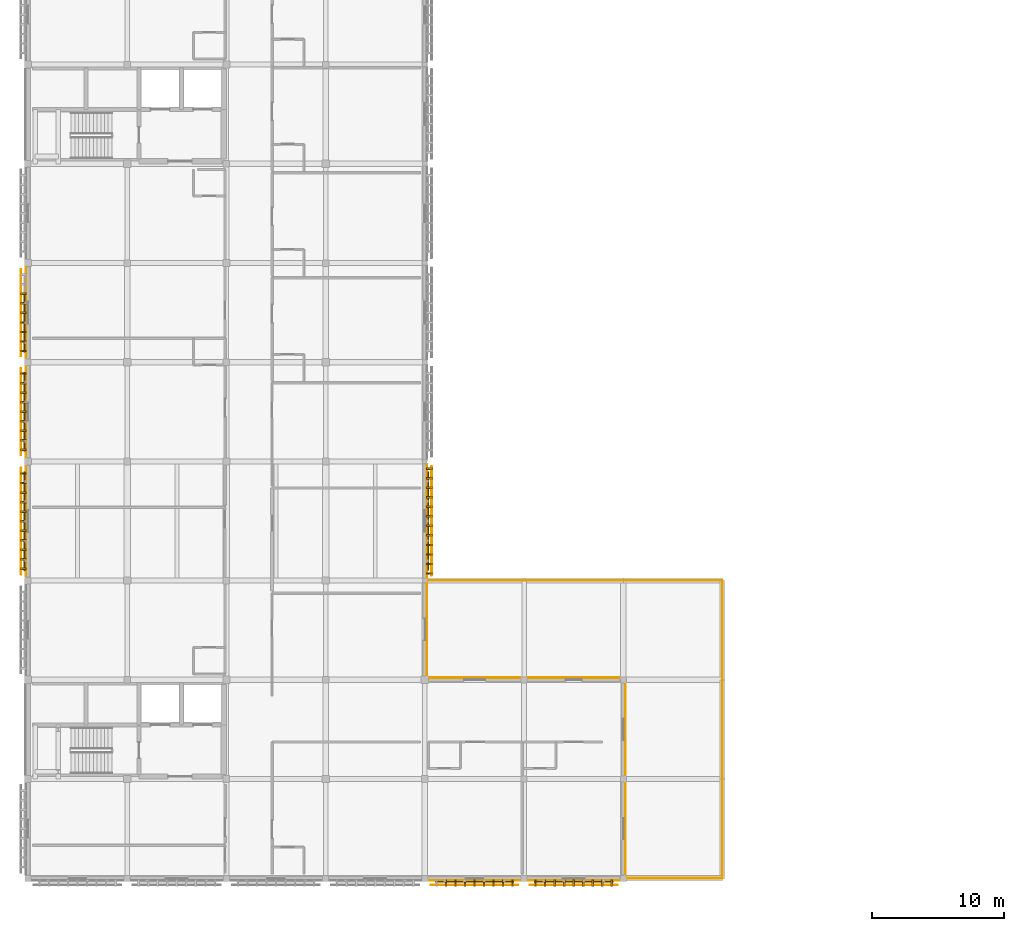
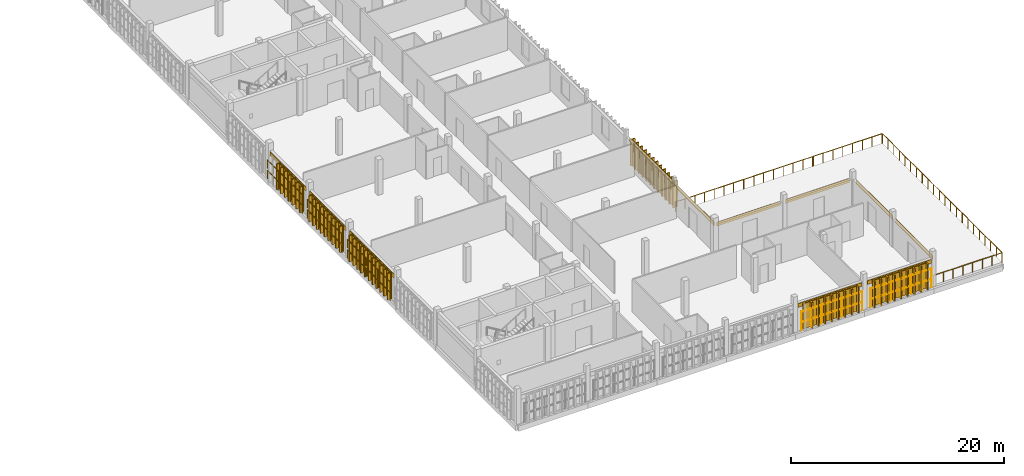
# One storey, part 14 of 17: 67 coverings, 25 shading devices, 19 railings.
"""IFC4 building model written with IfcOpenShell, lengths in metres."""

from ifc_helpers import new_model, si_unit, direction, frame, origin, origin_2d, place, context, subcontext, project, spatial, rectangle, circle, extrude, material, layer, layer_set, type_object, element, save


model = new_model("IFC4")

# Units and contexts
model_context = context("Model", 3, precision=1e-05, world=origin(), true_north=direction((0.0, 1.0)))
body_context = subcontext(model_context, "Body", "Model", "MODEL_VIEW")
ifc_project = project(units=[si_unit("LENGTHUNIT", "METRE"), si_unit("AREAUNIT", "SQUARE_METRE"), si_unit("VOLUMEUNIT", "CUBIC_METRE"), si_unit("PLANEANGLEUNIT", "RADIAN"), si_unit("MASSUNIT", "GRAM", prefix="KILO")], contexts=[model_context])

# Site, building, storey
site_placement = place(None, origin())
site = spatial("IfcSite", under=ifc_project, at=site_placement, CompositionType="ELEMENT")
building_placement = place(site_placement, origin())
building = spatial("IfcBuilding", under=site, at=building_placement, Name="Dalvernix Boulevard General Hospital", CompositionType="ELEMENT")
storey_placement = place(building_placement, frame((0.0, 0.0, 25.949951171875)))
storey = spatial("IfcBuildingStorey", under=building, at=storey_placement, Name="L06", CompositionType="ELEMENT", Elevation=25.949951171875)

# Coverings
ifc_material_1 = material(Name="Polychrome Catalan glazed ceramic spandrel tile panel")
ifc_layer_1 = layer(ifc_material_1, 0.044921875)
ifc_layer_set_1 = layer_set([ifc_layer_1], Name="Polychrome Catalan glazed ceramic spandrel tile panel (COV-CLD-01)")
covering_type_1 = type_object("IfcCoveringType", Name="COV-CLD-01", PredefinedType="CLADDING", material=ifc_layer_set_1)
covering_1_placement = place(storey_placement, frame((-0.159912109375, 26.987548828125, 2.7451171875), z_axis=(0.0, 0.0, 1.0), x_axis=(0.0, 1.0, 0.0)))
element("IfcCovering", 1, at=covering_1_placement, inside=storey, type_object=covering_type_1, Name="L06 polychrome ceramic spandrel W 0-3", PredefinedType="CLADDING", context=body_context, shape_type="SweptSolid", body=[
    extrude(rectangle(XDim=8.35498046875, YDim=0.044921875, at=origin_2d()), origin(), (0.0, 0.0, 1.0), 0.449951171875),
])
for number, where, z_axis, x_axis, name in (
    (2, (-0.159912109375, 35.262451171875, 2.6953125), (0.0, 0.0, 1.0), (0.0, 1.0, 0.0), "L06 polychrome ceramic spandrel W 0-4"),
    (3, (-0.159912109375, 42.737548828125, 2.6953125), (0.0, 0.0, 1.0), (0.0, 1.0, 0.0), "L06 polychrome ceramic spandrel W 0-5"),
):
    element("IfcCovering", number, at=place(storey_placement, frame(where, z_axis=z_axis, x_axis=x_axis)), inside=storey, type_object=covering_type_1, Name=name, PredefinedType="CLADDING", context=body_context, shape_type="SweptSolid", body=[
        extrude(rectangle(XDim=6.85498046875, YDim=0.044921875, at=origin_2d()), origin(), (0.0, 0.0, 1.0), 0.449951171875),
    ])
covering_2_placement = place(storey_placement, frame((30.159912109375, 18.8076171875, 2.6953125), z_axis=(0.0, 0.0, 1.0), x_axis=(0.0, -1.0, 0.0)))
element("IfcCovering", 4, at=covering_2_placement, inside=storey, type_object=covering_type_1, Name="L06 polychrome ceramic spandrel E 4-2", PredefinedType="CLADDING", context=body_context, shape_type="SweptSolid", body=[
    extrude(rectangle(XDim=6.945068359375, YDim=0.044921875, at=origin_2d()), origin(), (0.0, 0.0, 1.0), 0.449951171875),
])
covering_3_placement = place(storey_placement, frame((30.159912109375, 27.0, 2.7451171875), z_axis=(0.0, 0.0, 1.0), x_axis=(0.0, -1.0, 0.0)))
element("IfcCovering", 5, at=covering_3_placement, inside=storey, type_object=covering_type_1, Name="L06 polychrome ceramic spandrel E 4-3", PredefinedType="CLADDING", context=body_context, shape_type="SweptSolid", body=[
    extrude(rectangle(XDim=8.56005859375, YDim=0.044921875, at=origin_2d()), origin(), (0.0, 0.0, 1.0), 0.449951171875),
])
covering_4_placement = place(storey_placement, frame((33.75, -0.159912109375, 2.6953125), z_axis=(0.0, 0.0, 1.0), x_axis=(-1.0, 0.0, 0.0)))
element("IfcCovering", 6, at=covering_4_placement, inside=storey, type_object=covering_type_1, Name="L06 polychrome ceramic spandrel S 4-0", PredefinedType="CLADDING", context=body_context, shape_type="SweptSolid", body=[
    extrude(rectangle(XDim=6.929931640625, YDim=0.044921875, at=origin_2d()), origin(), (0.0, 0.0, 1.0), 0.449951171875),
])
covering_5_placement = place(storey_placement, frame((33.77490234375, 15.159912109375, 2.6953125), z_axis=(0.0, 0.0, 1.0), x_axis=(1.0, 0.0, 0.0)))
element("IfcCovering", 7, at=covering_5_placement, inside=storey, type_object=covering_type_1, Name="L06 polychrome ceramic spandrel N 4-2", PredefinedType="CLADDING", context=body_context, shape_type="SweptSolid", body=[
    extrude(rectangle(XDim=6.8798828125, YDim=0.044921875, at=origin_2d()), origin(), (0.0, 0.0, 1.0), 0.449951171875),
])
for number, where, z_axis, x_axis, name in (
    (8, (41.25, -0.159912109375, 2.6953125), (0.0, 0.0, 1.0), (-1.0, 0.0, 0.0), "L06 polychrome ceramic spandrel S 5-0"),
    (9, (45.159912109375, 3.75, 2.6953125), (0.0, 0.0, 1.0), (0.0, -1.0, 0.0), "L06 polychrome ceramic spandrel E 6-0"),
    (10, (41.25, 15.159912109375, 2.6953125), (0.0, 0.0, 1.0), (1.0, 0.0, 0.0), "L06 polychrome ceramic spandrel N 5-2"),
    (11, (45.159912109375, 11.25, 2.6953125), (0.0, 0.0, 1.0), (0.0, -1.0, 0.0), "L06 polychrome ceramic spandrel E 6-1"),
):
    element("IfcCovering", number, at=place(storey_placement, frame(where, z_axis=z_axis, x_axis=x_axis)), inside=storey, type_object=covering_type_1, Name=name, PredefinedType="CLADDING", context=body_context, shape_type="SweptSolid", body=[
        extrude(rectangle(XDim=6.929931640625, YDim=0.044921875, at=origin_2d()), origin(), (0.0, 0.0, 1.0), 0.449951171875),
    ])
ifc_material_2 = material(Name="Preservative-treated West African iroko timber lattice screen", Category="wood")
ifc_layer_2 = layer(ifc_material_2, 0.1201171875)
ifc_layer_set_2 = layer_set([ifc_layer_2], Name="Preservative-treated West African iroko timber lattice screen (COV-TSCR-01)")
covering_type_2 = type_object("IfcCoveringType", Name="COV-TSCR-01", PredefinedType="CLADDING", material=ifc_layer_set_2)
for number, where, z_axis, x_axis, name in (
    (12, (-0.360107421875, 23.387451171875, 0.10009765625), (0.0, 0.0, 1.0), (0.0, 1.0, 0.0), "L06 upper-ward timber screen blade W 0-3-1"),
    (13, (-0.360107421875, 24.107421875, 0.10009765625), (0.0, 0.0, 1.0), (0.0, 1.0, 0.0), "L06 upper-ward timber screen blade W 0-3-2"),
    (14, (-0.360107421875, 24.827392578125, 0.10009765625), (0.0, 0.0, 1.0), (0.0, 1.0, 0.0), "L06 upper-ward timber screen blade W 0-3-3"),
    (15, (-0.360107421875, 25.547607421875, 0.10009765625), (0.0, 0.0, 1.0), (0.0, 1.0, 0.0), "L06 upper-ward timber screen blade W 0-3-4"),
    (16, (-0.360107421875, 26.267578125, 0.10009765625), (0.0, 0.0, 1.0), (0.0, 1.0, 0.0), "L06 upper-ward timber screen blade W 0-3-5"),
    (17, (-0.360107421875, 26.987548828125, 0.10009765625), (0.0, 0.0, 1.0), (0.0, 1.0, 0.0), "L06 upper-ward timber screen blade W 0-3-6"),
    (18, (-0.360107421875, 27.70751953125, 0.10009765625), (0.0, 0.0, 1.0), (0.0, 1.0, 0.0), "L06 upper-ward timber screen blade W 0-3-7"),
    (19, (-0.360107421875, 28.427490234375, 0.10009765625), (0.0, 0.0, 1.0), (0.0, 1.0, 0.0), "L06 upper-ward timber screen blade W 0-3-8"),
    (20, (-0.360107421875, 29.1474609375, 0.10009765625), (0.0, 0.0, 1.0), (0.0, 1.0, 0.0), "L06 upper-ward timber screen blade W 0-3-9"),
    (21, (-0.360107421875, 29.867431640625, 0.10009765625), (0.0, 0.0, 1.0), (0.0, 1.0, 0.0), "L06 upper-ward timber screen blade W 0-3-10"),
    (22, (-0.360107421875, 30.58740234375, 0.10009765625), (0.0, 0.0, 1.0), (0.0, 1.0, 0.0), "L06 upper-ward timber screen blade W 0-3-11"),
):
    element("IfcCovering", number, at=place(storey_placement, frame(where, z_axis=z_axis, x_axis=x_axis)), inside=storey, type_object=covering_type_2, Name=name, PredefinedType="CLADDING", context=body_context, shape_type="SweptSolid", body=[
        extrude(rectangle(XDim=0.1298828125, YDim=0.47998046875, at=origin_2d()), origin(), (0.0, 0.0, 1.0), 3.02001953125),
    ])
for number, where, z_axis, x_axis, name in (
    (23, (-0.360107421875, 32.382568359375, 0.10009765625), (0.0, 0.0, 1.0), (0.0, 1.0, 0.0), "L06 upper-ward timber screen blade W 0-4-1"),
    (24, (-0.360107421875, 33.1025390625, 0.10009765625), (0.0, 0.0, 1.0), (0.0, 1.0, 0.0), "L06 upper-ward timber screen blade W 0-4-2"),
    (25, (-0.360107421875, 33.822509765625, 0.10009765625), (0.0, 0.0, 1.0), (0.0, 1.0, 0.0), "L06 upper-ward timber screen blade W 0-4-3"),
    (26, (-0.360107421875, 34.54248046875, 0.10009765625), (0.0, 0.0, 1.0), (0.0, 1.0, 0.0), "L06 upper-ward timber screen blade W 0-4-4"),
    (27, (-0.360107421875, 35.262451171875, 0.10009765625), (0.0, 0.0, 1.0), (0.0, 1.0, 0.0), "L06 upper-ward timber screen blade W 0-4-5"),
    (28, (-0.360107421875, 35.982421875, 0.10009765625), (0.0, 0.0, 1.0), (0.0, 1.0, 0.0), "L06 upper-ward timber screen blade W 0-4-6"),
    (29, (-0.360107421875, 36.702392578125, 0.10009765625), (0.0, 0.0, 1.0), (0.0, 1.0, 0.0), "L06 upper-ward timber screen blade W 0-4-7"),
    (30, (-0.360107421875, 37.422607421875, 0.10009765625), (0.0, 0.0, 1.0), (0.0, 1.0, 0.0), "L06 upper-ward timber screen blade W 0-4-8"),
    (31, (-0.360107421875, 38.142578125, 0.10009765625), (0.0, 0.0, 1.0), (0.0, 1.0, 0.0), "L06 upper-ward timber screen blade W 0-4-9"),
    (32, (-0.360107421875, 39.857421875, 0.10009765625), (0.0, 0.0, 1.0), (0.0, 1.0, 0.0), "L06 upper-ward timber screen blade W 0-5-1"),
    (33, (-0.360107421875, 40.577392578125, 0.10009765625), (0.0, 0.0, 1.0), (0.0, 1.0, 0.0), "L06 upper-ward timber screen blade W 0-5-2"),
    (34, (-0.360107421875, 41.297607421875, 0.10009765625), (0.0, 0.0, 1.0), (0.0, 1.0, 0.0), "L06 upper-ward timber screen blade W 0-5-3"),
    (35, (-0.360107421875, 42.017578125, 0.10009765625), (0.0, 0.0, 1.0), (0.0, 1.0, 0.0), "L06 upper-ward timber screen blade W 0-5-4"),
    (36, (-0.360107421875, 42.737548828125, 0.10009765625), (0.0, 0.0, 1.0), (0.0, 1.0, 0.0), "L06 upper-ward timber screen blade W 0-5-5"),
    (37, (-0.360107421875, 43.45751953125, 0.10009765625), (0.0, 0.0, 1.0), (0.0, 1.0, 0.0), "L06 upper-ward timber screen blade W 0-5-6"),
    (38, (-0.360107421875, 44.177490234375, 0.10009765625), (0.0, 0.0, 1.0), (0.0, 1.0, 0.0), "L06 upper-ward timber screen blade W 0-5-7"),
):
    element("IfcCovering", number, at=place(storey_placement, frame(where, z_axis=z_axis, x_axis=x_axis)), inside=storey, type_object=covering_type_2, Name=name, PredefinedType="CLADDING", context=body_context, shape_type="SweptSolid", body=[
        extrude(rectangle(XDim=0.1298828125, YDim=0.47998046875, at=origin_2d()), origin(), (0.0, 0.0, 1.0), 2.969970703125),
    ])
for number, where, z_axis, x_axis, name in (
    (39, (30.360107421875, 30.9599609375, 0.10009765625), (0.0, 0.0, 1.0), (0.0, -1.0, 0.0), "L06 upper-ward timber screen blade E 4-3-1"),
    (40, (30.360107421875, 30.239990234375, 0.10009765625), (0.0, 0.0, 1.0), (0.0, -1.0, 0.0), "L06 upper-ward timber screen blade E 4-3-2"),
    (41, (30.360107421875, 29.52001953125, 0.10009765625), (0.0, 0.0, 1.0), (0.0, -1.0, 0.0), "L06 upper-ward timber screen blade E 4-3-3"),
    (42, (30.360107421875, 28.800048828125, 0.10009765625), (0.0, 0.0, 1.0), (0.0, -1.0, 0.0), "L06 upper-ward timber screen blade E 4-3-4"),
    (43, (30.360107421875, 28.080078125, 0.10009765625), (0.0, 0.0, 1.0), (0.0, -1.0, 0.0), "L06 upper-ward timber screen blade E 4-3-5"),
    (44, (30.360107421875, 27.360107421875, 0.10009765625), (0.0, 0.0, 1.0), (0.0, -1.0, 0.0), "L06 upper-ward timber screen blade E 4-3-6"),
    (45, (30.360107421875, 26.639892578125, 0.10009765625), (0.0, 0.0, 1.0), (0.0, -1.0, 0.0), "L06 upper-ward timber screen blade E 4-3-7"),
    (46, (30.360107421875, 25.919921875, 0.10009765625), (0.0, 0.0, 1.0), (0.0, -1.0, 0.0), "L06 upper-ward timber screen blade E 4-3-8"),
    (47, (30.360107421875, 25.199951171875, 0.10009765625), (0.0, 0.0, 1.0), (0.0, -1.0, 0.0), "L06 upper-ward timber screen blade E 4-3-9"),
    (48, (30.360107421875, 24.47998046875, 0.10009765625), (0.0, 0.0, 1.0), (0.0, -1.0, 0.0), "L06 upper-ward timber screen blade E 4-3-10"),
    (49, (30.360107421875, 23.760009765625, 0.10009765625), (0.0, 0.0, 1.0), (0.0, -1.0, 0.0), "L06 upper-ward timber screen blade E 4-3-11"),
    (50, (30.360107421875, 23.0400390625, 0.10009765625), (0.0, 0.0, 1.0), (0.0, -1.0, 0.0), "L06 upper-ward timber screen blade E 4-3-12"),
):
    element("IfcCovering", number, at=place(storey_placement, frame(where, z_axis=z_axis, x_axis=x_axis)), inside=storey, type_object=covering_type_2, Name=name, PredefinedType="CLADDING", context=body_context, shape_type="SweptSolid", body=[
        extrude(rectangle(XDim=0.1298828125, YDim=0.47998046875, at=origin_2d()), origin(), (0.0, 0.0, 1.0), 3.02001953125),
    ])
for number, where, z_axis, x_axis, name in (
    (51, (36.6298828125, -0.360107421875, 0.10009765625), (0.0, 0.0, 1.0), (-1.0, 0.0, 0.0), "L06 upper-ward timber screen blade S 4-0-1"),
    (52, (35.909912109375, -0.360107421875, 0.10009765625), (0.0, 0.0, 1.0), (-1.0, 0.0, 0.0), "L06 upper-ward timber screen blade S 4-0-2"),
    (53, (35.18994140625, -0.360107421875, 0.10009765625), (0.0, 0.0, 1.0), (-1.0, 0.0, 0.0), "L06 upper-ward timber screen blade S 4-0-3"),
    (54, (34.469970703125, -0.360107421875, 0.10009765625), (0.0, 0.0, 1.0), (-1.0, 0.0, 0.0), "L06 upper-ward timber screen blade S 4-0-4"),
    (55, (33.75, -0.360107421875, 0.10009765625), (0.0, 0.0, 1.0), (-1.0, 0.0, 0.0), "L06 upper-ward timber screen blade S 4-0-5"),
    (56, (33.030029296875, -0.360107421875, 0.10009765625), (0.0, 0.0, 1.0), (-1.0, 0.0, 0.0), "L06 upper-ward timber screen blade S 4-0-6"),
    (57, (32.31005859375, -0.360107421875, 0.10009765625), (0.0, 0.0, 1.0), (-1.0, 0.0, 0.0), "L06 upper-ward timber screen blade S 4-0-7"),
    (58, (31.590087890625, -0.360107421875, 0.10009765625), (0.0, 0.0, 1.0), (-1.0, 0.0, 0.0), "L06 upper-ward timber screen blade S 4-0-8"),
    (59, (44.1298828125, -0.360107421875, 0.10009765625), (0.0, 0.0, 1.0), (-1.0, 0.0, 0.0), "L06 upper-ward timber screen blade S 5-0-1"),
    (60, (43.409912109375, -0.360107421875, 0.10009765625), (0.0, 0.0, 1.0), (-1.0, 0.0, 0.0), "L06 upper-ward timber screen blade S 5-0-2"),
    (61, (42.68994140625, -0.360107421875, 0.10009765625), (0.0, 0.0, 1.0), (-1.0, 0.0, 0.0), "L06 upper-ward timber screen blade S 5-0-3"),
    (62, (41.969970703125, -0.360107421875, 0.10009765625), (0.0, 0.0, 1.0), (-1.0, 0.0, 0.0), "L06 upper-ward timber screen blade S 5-0-4"),
    (63, (41.25, -0.360107421875, 0.10009765625), (0.0, 0.0, 1.0), (-1.0, 0.0, 0.0), "L06 upper-ward timber screen blade S 5-0-5"),
    (64, (40.530029296875, -0.360107421875, 0.10009765625), (0.0, 0.0, 1.0), (-1.0, 0.0, 0.0), "L06 upper-ward timber screen blade S 5-0-6"),
    (65, (39.81005859375, -0.360107421875, 0.10009765625), (0.0, 0.0, 1.0), (-1.0, 0.0, 0.0), "L06 upper-ward timber screen blade S 5-0-7"),
    (66, (39.090087890625, -0.360107421875, 0.10009765625), (0.0, 0.0, 1.0), (-1.0, 0.0, 0.0), "L06 upper-ward timber screen blade S 5-0-8"),
    (67, (38.3701171875, -0.360107421875, 0.10009765625), (0.0, 0.0, 1.0), (-1.0, 0.0, 0.0), "L06 upper-ward timber screen blade S 5-0-9"),
):
    element("IfcCovering", number, at=place(storey_placement, frame(where, z_axis=z_axis, x_axis=x_axis)), inside=storey, type_object=covering_type_2, Name=name, PredefinedType="CLADDING", context=body_context, shape_type="SweptSolid", body=[
        extrude(rectangle(XDim=0.1298828125, YDim=0.47998046875, at=origin_2d()), origin(), (0.0, 0.0, 1.0), 2.969970703125),
    ])

# Railings
ifc_material_3 = material(Name="Powder-coated galvanized steel balustrade", Category="steel")
railing_type_1 = type_object("IfcRailingType", Name="RL-GR-EXT1", PredefinedType="BALUSTRADE", material=ifc_material_3)
railing_1_placement = place(storey_placement, frame((30.090087890625, 22.5, 0.0)))
element("IfcRailing", 68, at=railing_1_placement, inside=storey, type_object=railing_type_1, Name="L06 terrace safety balustrade 1", PredefinedType="BALUSTRADE", context=body_context, shape_type="SweptSolid", body=[
    extrude(circle(Radius=0.02392578125, at=origin_2d()), frame((0.0, 0.0, 1.09619140625), z_axis=(1.0, 0.0, 0.0), x_axis=(0.0, 1.0, 0.0)), (0.0, 0.0, 1.0), 7.369873046875),
    extrude(circle(Radius=0.02099609375, at=origin_2d()), origin(), (0.0, 0.0, 1.0), 1.072021484375),
    extrude(circle(Radius=0.02099609375, at=origin_2d()), frame((1.052734375, 0.0, 0.0)), (0.0, 0.0, 1.0), 1.072021484375),
    extrude(circle(Radius=0.02099609375, at=origin_2d()), frame((2.105712890625, 0.0, 0.0)), (0.0, 0.0, 1.0), 1.072021484375),
    extrude(circle(Radius=0.02099609375, at=origin_2d()), frame((3.158447265625, 0.0, 0.0)), (0.0, 0.0, 1.0), 1.072021484375),
    extrude(circle(Radius=0.02099609375, at=origin_2d()), frame((4.21142578125, 0.0, 0.0)), (0.0, 0.0, 1.0), 1.072021484375),
    extrude(circle(Radius=0.02099609375, at=origin_2d()), frame((5.26416015625, 0.0, 0.0)), (0.0, 0.0, 1.0), 1.072021484375),
    extrude(circle(Radius=0.02099609375, at=origin_2d()), frame((6.317138671875, 0.0, 0.0)), (0.0, 0.0, 1.0), 1.072021484375),
    extrude(circle(Radius=0.02099609375, at=origin_2d()), frame((7.369873046875, 0.0, 0.0)), (0.0, 0.0, 1.0), 1.072021484375),
])
for number, where, name in (
    (69, (37.5400390625, 22.5, 0.0), "L06 terrace safety balustrade 2"),
    (70, (45.0400390625, 22.5, 0.0), "L06 terrace safety balustrade 3"),
):
    element("IfcRailing", number, at=place(storey_placement, frame(where)), inside=storey, type_object=railing_type_1, Name=name, PredefinedType="BALUSTRADE", context=body_context, shape_type="SweptSolid", body=[
        extrude(circle(Radius=0.02392578125, at=origin_2d()), frame((0.0, 0.0, 1.09619140625), z_axis=(1.0, 0.0, 0.0), x_axis=(0.0, 1.0, 0.0)), (0.0, 0.0, 1.0), 7.419921875),
        extrude(circle(Radius=0.02099609375, at=origin_2d()), origin(), (0.0, 0.0, 1.0), 1.072021484375),
        extrude(circle(Radius=0.02099609375, at=origin_2d()), frame((1.06005859375, 0.0, 0.0)), (0.0, 0.0, 1.0), 1.072021484375),
        extrude(circle(Radius=0.02099609375, at=origin_2d()), frame((2.119873046875, 0.0, 0.0)), (0.0, 0.0, 1.0), 1.072021484375),
        extrude(circle(Radius=0.02099609375, at=origin_2d()), frame((3.179931640625, 0.0, 0.0)), (0.0, 0.0, 1.0), 1.072021484375),
        extrude(circle(Radius=0.02099609375, at=origin_2d()), frame((4.239990234375, 0.0, 0.0)), (0.0, 0.0, 1.0), 1.072021484375),
        extrude(circle(Radius=0.02099609375, at=origin_2d()), frame((5.300048828125, 0.0, 0.0)), (0.0, 0.0, 1.0), 1.072021484375),
        extrude(circle(Radius=0.02099609375, at=origin_2d()), frame((6.35986328125, 0.0, 0.0)), (0.0, 0.0, 1.0), 1.072021484375),
        extrude(circle(Radius=0.02099609375, at=origin_2d()), frame((7.419921875, 0.0, 0.0)), (0.0, 0.0, 1.0), 1.072021484375),
    ])
for number, where, name in (
    (71, (52.5, 22.4599609375, 0.0), "L06 terrace safety balustrade 4"),
    (72, (52.5, 14.9599609375, 0.0), "L06 terrace safety balustrade 5"),
    (73, (52.5, 7.4599609375, 0.0), "L06 terrace safety balustrade 6"),
):
    element("IfcRailing", number, at=place(storey_placement, frame(where)), inside=storey, type_object=railing_type_1, Name=name, PredefinedType="BALUSTRADE", context=body_context, shape_type="SweptSolid", body=[
        extrude(circle(Radius=0.02392578125, at=origin_2d()), frame((0.0, 0.0, 1.09619140625), z_axis=(0.0, -1.0, 0.0), x_axis=(1.0, 0.0, 0.0)), (0.0, 0.0, 1.0), 7.419921875),
        extrude(circle(Radius=0.02099609375, at=origin_2d()), origin(), (0.0, 0.0, 1.0), 1.072021484375),
        extrude(circle(Radius=0.02099609375, at=origin_2d()), frame((0.0, -1.06005859375, 0.0)), (0.0, 0.0, 1.0), 1.072021484375),
        extrude(circle(Radius=0.02099609375, at=origin_2d()), frame((0.0, -2.119873046875, 0.0)), (0.0, 0.0, 1.0), 1.072021484375),
        extrude(circle(Radius=0.02099609375, at=origin_2d()), frame((0.0, -3.179931640625, 0.0)), (0.0, 0.0, 1.0), 1.072021484375),
        extrude(circle(Radius=0.02099609375, at=origin_2d()), frame((0.0, -4.239990234375, 0.0)), (0.0, 0.0, 1.0), 1.072021484375),
        extrude(circle(Radius=0.02099609375, at=origin_2d()), frame((0.0, -5.300048828125, 0.0)), (0.0, 0.0, 1.0), 1.072021484375),
        extrude(circle(Radius=0.02099609375, at=origin_2d()), frame((0.0, -6.35986328125, 0.0)), (0.0, 0.0, 1.0), 1.072021484375),
        extrude(circle(Radius=0.02099609375, at=origin_2d()), frame((0.0, -7.419921875, 0.0)), (0.0, 0.0, 1.0), 1.072021484375),
    ])
railing_2_placement = place(storey_placement, frame((52.4599609375, 0.0, 0.0)))
element("IfcRailing", 74, at=railing_2_placement, inside=storey, type_object=railing_type_1, Name="L06 terrace safety balustrade 7", PredefinedType="BALUSTRADE", context=body_context, shape_type="SweptSolid", body=[
    extrude(circle(Radius=0.02392578125, at=origin_2d()), frame((0.0, 0.0, 1.09619140625), z_axis=(-1.0, 0.0, 0.0), x_axis=(0.0, -1.0, 0.0)), (0.0, 0.0, 1.0), 7.369873046875),
    extrude(circle(Radius=0.02099609375, at=origin_2d()), origin(), (0.0, 0.0, 1.0), 1.072021484375),
    extrude(circle(Radius=0.02099609375, at=origin_2d()), frame((-1.052734375, 0.0, 0.0)), (0.0, 0.0, 1.0), 1.072021484375),
    extrude(circle(Radius=0.02099609375, at=origin_2d()), frame((-2.105712890625, 0.0, 0.0)), (0.0, 0.0, 1.0), 1.072021484375),
    extrude(circle(Radius=0.02099609375, at=origin_2d()), frame((-3.158447265625, 0.0, 0.0)), (0.0, 0.0, 1.0), 1.072021484375),
    extrude(circle(Radius=0.02099609375, at=origin_2d()), frame((-4.21142578125, 0.0, 0.0)), (0.0, 0.0, 1.0), 1.072021484375),
    extrude(circle(Radius=0.02099609375, at=origin_2d()), frame((-5.26416015625, 0.0, 0.0)), (0.0, 0.0, 1.0), 1.072021484375),
    extrude(circle(Radius=0.02099609375, at=origin_2d()), frame((-6.317138671875, 0.0, 0.0)), (0.0, 0.0, 1.0), 1.072021484375),
    extrude(circle(Radius=0.02099609375, at=origin_2d()), frame((-7.369873046875, 0.0, 0.0)), (0.0, 0.0, 1.0), 1.072021484375),
])
ifc_material_4 = material(Name="Preservative-treated iroko timber horizontal screen louver rail", Category="wood")
railing_type_2 = type_object("IfcRailingType", Name="RL-TSCR-01", PredefinedType="BALUSTRADE", material=ifc_material_4)
for number, where, name in (
    (75, (-0.52001953125, 22.97998046875, 0.25), "L06 upper-ward horizontal timber screen louver W 0-3-1"),
    (76, (-0.52001953125, 22.97998046875, 1.449951171875), "L06 upper-ward horizontal timber screen louver W 0-3-2"),
):
    element("IfcRailing", number, at=place(storey_placement, frame(where)), inside=storey, type_object=railing_type_2, Name=name, PredefinedType="BALUSTRADE", context=body_context, shape_type="SweptSolid", body=[
        extrude(circle(Radius=0.02392578125, at=origin_2d()), frame((0.0, 0.0, 0.92578125), z_axis=(0.0, 1.0, 0.0), x_axis=(-1.0, 0.0, 0.0)), (0.0, 0.0, 1.0), 8.01513671875),
        extrude(circle(Radius=0.02099609375, at=origin_2d()), origin(), (0.0, 0.0, 1.0), 0.90185546875),
        extrude(circle(Radius=0.02099609375, at=origin_2d()), frame((0.0, 1.14501953125, 0.0)), (0.0, 0.0, 1.0), 0.90185546875),
        extrude(circle(Radius=0.02099609375, at=origin_2d()), frame((0.0, 2.2900390625, 0.0)), (0.0, 0.0, 1.0), 0.90185546875),
        extrude(circle(Radius=0.02099609375, at=origin_2d()), frame((0.0, 3.43505859375, 0.0)), (0.0, 0.0, 1.0), 0.90185546875),
        extrude(circle(Radius=0.02099609375, at=origin_2d()), frame((0.0, 4.580078125, 0.0)), (0.0, 0.0, 1.0), 0.90185546875),
        extrude(circle(Radius=0.02099609375, at=origin_2d()), frame((0.0, 5.72509765625, 0.0)), (0.0, 0.0, 1.0), 0.90185546875),
        extrude(circle(Radius=0.02099609375, at=origin_2d()), frame((0.0, 6.8701171875, 0.0)), (0.0, 0.0, 1.0), 0.90185546875),
        extrude(circle(Radius=0.02099609375, at=origin_2d()), frame((0.0, 8.01513671875, 0.0)), (0.0, 0.0, 1.0), 0.90185546875),
    ])
for number, where, name in (
    (77, (-0.52001953125, 32.0048828125, 0.25), "L06 upper-ward horizontal timber screen louver W 0-4-1"),
    (78, (-0.52001953125, 32.0048828125, 1.449951171875), "L06 upper-ward horizontal timber screen louver W 0-4-2"),
    (79, (-0.52001953125, 39.47998046875, 0.25), "L06 upper-ward horizontal timber screen louver W 0-5-1"),
    (80, (-0.52001953125, 39.47998046875, 1.449951171875), "L06 upper-ward horizontal timber screen louver W 0-5-2"),
):
    element("IfcRailing", number, at=place(storey_placement, frame(where)), inside=storey, type_object=railing_type_2, Name=name, PredefinedType="BALUSTRADE", context=body_context, shape_type="SweptSolid", body=[
        extrude(circle(Radius=0.02392578125, at=origin_2d()), frame((0.0, 0.0, 0.92578125), z_axis=(0.0, 1.0, 0.0), x_axis=(-1.0, 0.0, 0.0)), (0.0, 0.0, 1.0), 6.51513671875),
        extrude(circle(Radius=0.02099609375, at=origin_2d()), origin(), (0.0, 0.0, 1.0), 0.90185546875),
        extrude(circle(Radius=0.02099609375, at=origin_2d()), frame((0.0, 1.0859375, 0.0)), (0.0, 0.0, 1.0), 0.90185546875),
        extrude(circle(Radius=0.02099609375, at=origin_2d()), frame((0.0, 2.171630859375, 0.0)), (0.0, 0.0, 1.0), 0.90185546875),
        extrude(circle(Radius=0.02099609375, at=origin_2d()), frame((0.0, 3.257568359375, 0.0)), (0.0, 0.0, 1.0), 0.90185546875),
        extrude(circle(Radius=0.02099609375, at=origin_2d()), frame((0.0, 4.343505859375, 0.0)), (0.0, 0.0, 1.0), 0.90185546875),
        extrude(circle(Radius=0.02099609375, at=origin_2d()), frame((0.0, 5.42919921875, 0.0)), (0.0, 0.0, 1.0), 0.90185546875),
        extrude(circle(Radius=0.02099609375, at=origin_2d()), frame((0.0, 6.51513671875, 0.0)), (0.0, 0.0, 1.0), 0.90185546875),
    ])
for number, where, name in (
    (81, (30.52001953125, 31.110107421875, 0.25), "L06 upper-ward horizontal timber screen louver E 4-3-1"),
    (82, (30.52001953125, 31.110107421875, 1.449951171875), "L06 upper-ward horizontal timber screen louver E 4-3-2"),
):
    element("IfcRailing", number, at=place(storey_placement, frame(where)), inside=storey, type_object=railing_type_2, Name=name, PredefinedType="BALUSTRADE", context=body_context, shape_type="SweptSolid", body=[
        extrude(circle(Radius=0.02392578125, at=origin_2d()), frame((0.0, 0.0, 0.92578125), z_axis=(0.0, -1.0, 0.0), x_axis=(1.0, 0.0, 0.0)), (0.0, 0.0, 1.0), 8.22021484375),
        extrude(circle(Radius=0.02099609375, at=origin_2d()), origin(), (0.0, 0.0, 1.0), 0.90185546875),
        extrude(circle(Radius=0.02099609375, at=origin_2d()), frame((0.0, -1.17431640625, 0.0)), (0.0, 0.0, 1.0), 0.90185546875),
        extrude(circle(Radius=0.02099609375, at=origin_2d()), frame((0.0, -2.3486328125, 0.0)), (0.0, 0.0, 1.0), 0.90185546875),
        extrude(circle(Radius=0.02099609375, at=origin_2d()), frame((0.0, -3.52294921875, 0.0)), (0.0, 0.0, 1.0), 0.90185546875),
        extrude(circle(Radius=0.02099609375, at=origin_2d()), frame((0.0, -4.697265625, 0.0)), (0.0, 0.0, 1.0), 0.90185546875),
        extrude(circle(Radius=0.02099609375, at=origin_2d()), frame((0.0, -5.87158203125, 0.0)), (0.0, 0.0, 1.0), 0.90185546875),
        extrude(circle(Radius=0.02099609375, at=origin_2d()), frame((0.0, -7.0458984375, 0.0)), (0.0, 0.0, 1.0), 0.90185546875),
        extrude(circle(Radius=0.02099609375, at=origin_2d()), frame((0.0, -8.22021484375, 0.0)), (0.0, 0.0, 1.0), 0.90185546875),
    ])
for number, where, name in (
    (83, (37.044921875, -0.52001953125, 0.25), "L06 upper-ward horizontal timber screen louver S 4-0-1"),
    (84, (37.044921875, -0.52001953125, 1.449951171875), "L06 upper-ward horizontal timber screen louver S 4-0-2"),
    (85, (44.544921875, -0.52001953125, 0.25), "L06 upper-ward horizontal timber screen louver S 5-0-1"),
    (86, (44.544921875, -0.52001953125, 1.449951171875), "L06 upper-ward horizontal timber screen louver S 5-0-2"),
):
    element("IfcRailing", number, at=place(storey_placement, frame(where)), inside=storey, type_object=railing_type_2, Name=name, PredefinedType="BALUSTRADE", context=body_context, shape_type="SweptSolid", body=[
        extrude(circle(Radius=0.02392578125, at=origin_2d()), frame((0.0, 0.0, 0.92578125), z_axis=(-1.0, 0.0, 0.0), x_axis=(0.0, -1.0, 0.0)), (0.0, 0.0, 1.0), 6.58984375),
        extrude(circle(Radius=0.02099609375, at=origin_2d()), origin(), (0.0, 0.0, 1.0), 0.90185546875),
        extrude(circle(Radius=0.02099609375, at=origin_2d()), frame((-1.098388671875, 0.0, 0.0)), (0.0, 0.0, 1.0), 0.90185546875),
        extrude(circle(Radius=0.02099609375, at=origin_2d()), frame((-2.196533203125, 0.0, 0.0)), (0.0, 0.0, 1.0), 0.90185546875),
        extrude(circle(Radius=0.02099609375, at=origin_2d()), frame((-3.294921875, 0.0, 0.0)), (0.0, 0.0, 1.0), 0.90185546875),
        extrude(circle(Radius=0.02099609375, at=origin_2d()), frame((-4.393310546875, 0.0, 0.0)), (0.0, 0.0, 1.0), 0.90185546875),
        extrude(circle(Radius=0.02099609375, at=origin_2d()), frame((-5.491455078125, 0.0, 0.0)), (0.0, 0.0, 1.0), 0.90185546875),
        extrude(circle(Radius=0.02099609375, at=origin_2d()), frame((-6.58984375, 0.0, 0.0)), (0.0, 0.0, 1.0), 0.90185546875),
    ])

# Shading devices
ifc_material_5 = material(Name="Perforated iroko timber and glazed ceramic screen (30 percent open)", Category="wood")
shading_device_type = type_object("IfcShadingDeviceType", Name="SHD-SCR-01", PredefinedType="USERDEFINED", material=ifc_material_5)
for number, where, z_axis, x_axis, name in (
    (87, (-0.260009765625, 23.987548828125, 0.150146484375), (0.0, 0.0, 1.0), (0.0, 1.0, 0.0), "L06 perforated timber screen 1"),
    (88, (-0.260009765625, 25.487548828125, 0.150146484375), (0.0, 0.0, 1.0), (0.0, 1.0, 0.0), "L06 perforated timber screen 2"),
    (89, (-0.260009765625, 26.987548828125, 0.150146484375), (0.0, 0.0, 1.0), (0.0, 1.0, 0.0), "L06 perforated timber screen 3"),
    (90, (-0.260009765625, 28.487548828125, 0.150146484375), (0.0, 0.0, 1.0), (0.0, 1.0, 0.0), "L06 perforated timber screen 4"),
    (91, (-0.260009765625, 29.987548828125, 0.150146484375), (0.0, 0.0, 1.0), (0.0, 1.0, 0.0), "L06 perforated timber screen 5"),
):
    element("IfcShadingDevice", number, at=place(storey_placement, frame(where, z_axis=z_axis, x_axis=x_axis)), inside=storey, type_object=shading_device_type, Name=name, ObjectType="SCREEN", PredefinedType="USERDEFINED", context=body_context, shape_type="SweptSolid", body=[
        extrude(rectangle(XDim=1.4599609375, YDim=0.080078125, at=origin_2d()), origin(), (0.0, 0.0, 1.0), 2.919921875),
    ])
for number, where, z_axis, x_axis, name in (
    (92, (-0.260009765625, 33.012451171875, 0.14990234375), (0.0, 0.0, 1.0), (0.0, 1.0, 0.0), "L06 perforated timber screen 1"),
    (93, (-0.260009765625, 34.512451171875, 0.14990234375), (0.0, 0.0, 1.0), (0.0, 1.0, 0.0), "L06 perforated timber screen 2"),
    (94, (-0.260009765625, 36.012451171875, 0.14990234375), (0.0, 0.0, 1.0), (0.0, 1.0, 0.0), "L06 perforated timber screen 3"),
    (95, (-0.260009765625, 37.512451171875, 0.14990234375), (0.0, 0.0, 1.0), (0.0, 1.0, 0.0), "L06 perforated timber screen 4"),
    (96, (-0.260009765625, 40.487548828125, 0.14990234375), (0.0, 0.0, 1.0), (0.0, 1.0, 0.0), "L06 perforated timber screen 1"),
    (97, (-0.260009765625, 41.987548828125, 0.14990234375), (0.0, 0.0, 1.0), (0.0, 1.0, 0.0), "L06 perforated timber screen 2"),
    (98, (-0.260009765625, 43.487548828125, 0.14990234375), (0.0, 0.0, 1.0), (0.0, 1.0, 0.0), "L06 perforated timber screen 3"),
):
    element("IfcShadingDevice", number, at=place(storey_placement, frame(where, z_axis=z_axis, x_axis=x_axis)), inside=storey, type_object=shading_device_type, Name=name, ObjectType="SCREEN", PredefinedType="USERDEFINED", context=body_context, shape_type="SweptSolid", body=[
        extrude(rectangle(XDim=1.4599609375, YDim=0.080078125, at=origin_2d()), origin(), (0.0, 0.0, 1.0), 2.8701171875),
    ])
for number, where, z_axis, x_axis, name in (
    (99, (30.260009765625, 30.0, 0.150146484375), (0.0, 0.0, 1.0), (0.0, -1.0, 0.0), "L06 perforated timber screen 1"),
    (100, (30.260009765625, 28.5, 0.150146484375), (0.0, 0.0, 1.0), (0.0, -1.0, 0.0), "L06 perforated timber screen 2"),
    (101, (30.260009765625, 27.0, 0.150146484375), (0.0, 0.0, 1.0), (0.0, -1.0, 0.0), "L06 perforated timber screen 3"),
    (102, (30.260009765625, 25.5, 0.150146484375), (0.0, 0.0, 1.0), (0.0, -1.0, 0.0), "L06 perforated timber screen 4"),
    (103, (30.260009765625, 24.0, 0.150146484375), (0.0, 0.0, 1.0), (0.0, -1.0, 0.0), "L06 perforated timber screen 5"),
):
    element("IfcShadingDevice", number, at=place(storey_placement, frame(where, z_axis=z_axis, x_axis=x_axis)), inside=storey, type_object=shading_device_type, Name=name, ObjectType="SCREEN", PredefinedType="USERDEFINED", context=body_context, shape_type="SweptSolid", body=[
        extrude(rectangle(XDim=1.4599609375, YDim=0.080078125, at=origin_2d()), origin(), (0.0, 0.0, 1.0), 2.919921875),
    ])
for number, where, z_axis, x_axis, name in (
    (104, (36.0, -0.260009765625, 0.14990234375), (0.0, 0.0, 1.0), (-1.0, 0.0, 0.0), "L06 perforated timber screen 1"),
    (105, (34.5, -0.260009765625, 0.14990234375), (0.0, 0.0, 1.0), (-1.0, 0.0, 0.0), "L06 perforated timber screen 2"),
    (106, (33.0, -0.260009765625, 0.14990234375), (0.0, 0.0, 1.0), (-1.0, 0.0, 0.0), "L06 perforated timber screen 3"),
    (107, (31.5, -0.260009765625, 0.14990234375), (0.0, 0.0, 1.0), (-1.0, 0.0, 0.0), "L06 perforated timber screen 4"),
    (108, (43.5, -0.260009765625, 0.14990234375), (0.0, 0.0, 1.0), (-1.0, 0.0, 0.0), "L06 perforated timber screen 1"),
    (109, (42.0, -0.260009765625, 0.14990234375), (0.0, 0.0, 1.0), (-1.0, 0.0, 0.0), "L06 perforated timber screen 2"),
    (110, (40.5, -0.260009765625, 0.14990234375), (0.0, 0.0, 1.0), (-1.0, 0.0, 0.0), "L06 perforated timber screen 3"),
    (111, (39.0, -0.260009765625, 0.14990234375), (0.0, 0.0, 1.0), (-1.0, 0.0, 0.0), "L06 perforated timber screen 4"),
):
    element("IfcShadingDevice", number, at=place(storey_placement, frame(where, z_axis=z_axis, x_axis=x_axis)), inside=storey, type_object=shading_device_type, Name=name, ObjectType="SCREEN", PredefinedType="USERDEFINED", context=body_context, shape_type="SweptSolid", body=[
        extrude(rectangle(XDim=1.4599609375, YDim=0.080078125, at=origin_2d()), origin(), (0.0, 0.0, 1.0), 2.8701171875),
    ])

save(model, "model.ifc")
